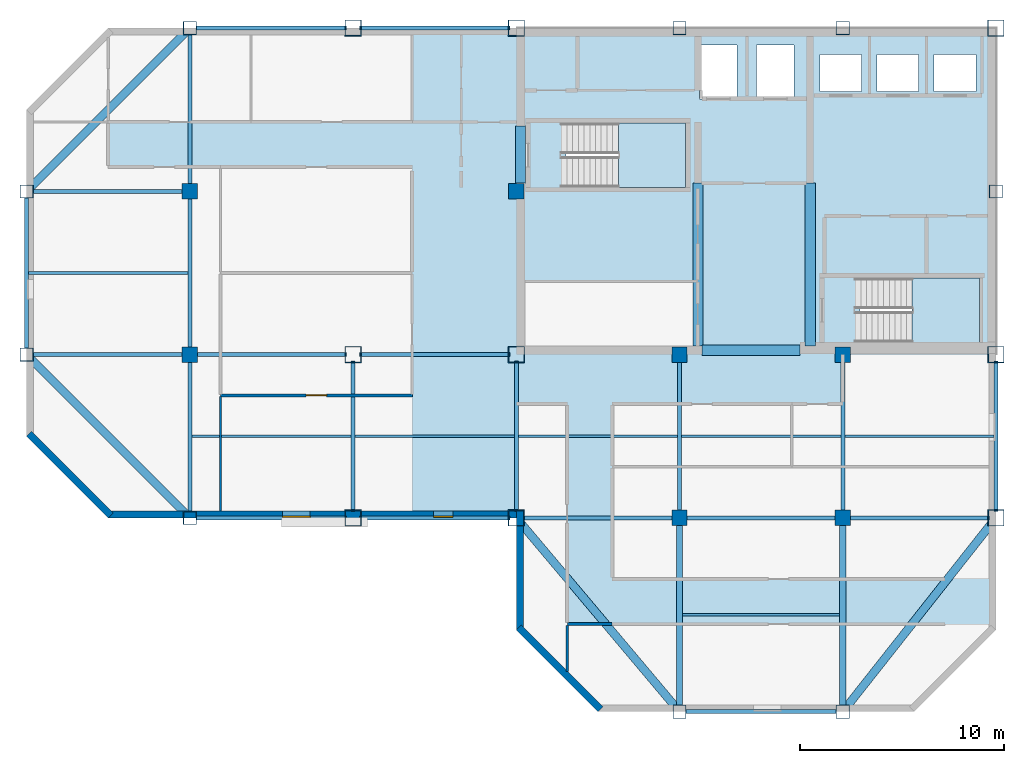
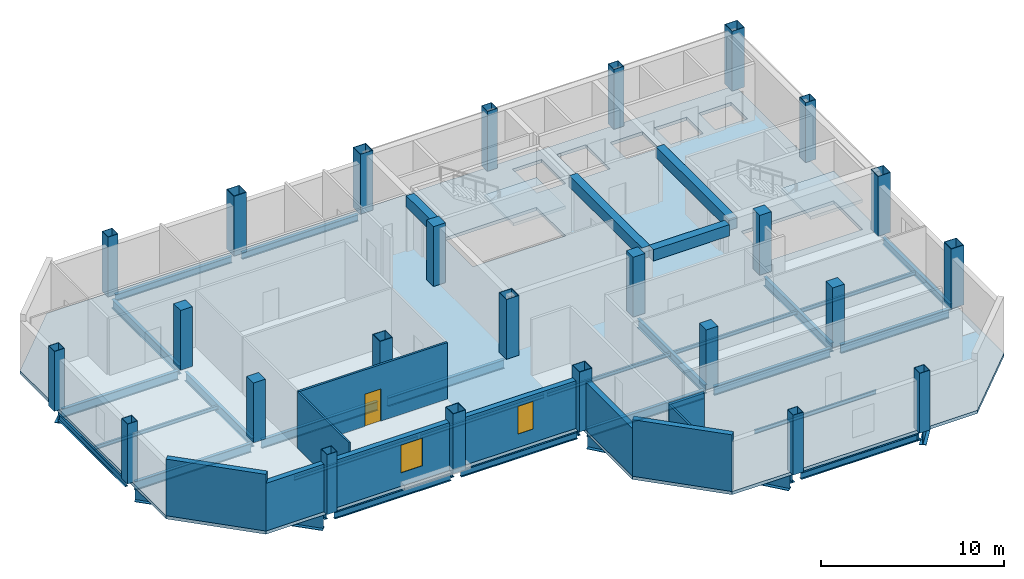
# One storey, part 1 of 7: 38 beams, 25 columns, 8 walls, 3 slabs, 2 windows, 1 door, 3 openings, 2 elements without a shape of their own.
"""IFC4 building model written with IfcOpenShell, lengths in metres."""

from ifc_helpers import new_model, si_unit, direction, frame, frame_2d, origin, origin_2d, place, context, subcontext, project, spatial, polyline, rectangle, hollow_rectangle, i_section, outline, extrude, material, layer, layer_set, material_profile, profile_set, type_object, element, fill, aggregate, save


model = new_model("IFC4")

# Units and contexts
model_context = context("Model", 3, precision=1e-05, world=origin(), true_north=direction((0.0, 1.0)))
body_context = subcontext(model_context, "Body", "Model", "MODEL_VIEW")
ifc_project = project(units=[si_unit("LENGTHUNIT", "METRE"), si_unit("AREAUNIT", "SQUARE_METRE"), si_unit("VOLUMEUNIT", "CUBIC_METRE"), si_unit("PLANEANGLEUNIT", "RADIAN"), si_unit("MASSUNIT", "GRAM", prefix="KILO")], contexts=[model_context])

# Site, building, storey
site_placement = place(None, origin())
site = spatial("IfcSite", under=ifc_project, at=site_placement, CompositionType="ELEMENT")
building_placement = place(site_placement, origin())
building = spatial("IfcBuilding", under=site, at=building_placement, Name="Qianrong Seaharbour Tower", CompositionType="ELEMENT")
storey_placement = place(building_placement, frame((0.0, 0.0, 343.199951171875)))
storey = spatial("IfcBuildingStorey", under=building, at=storey_placement, Name="L83", CompositionType="ELEMENT", Elevation=343.199951171875)

# Columns
ifc_material_1 = material(Name="Structural steel SN490B", Category="steel")
ifc_material_profile_1 = material_profile(ifc_material_1, hollow_rectangle(XDim=0.800048828125, YDim=0.800048828125, WallThickness=0.031982421875, at=origin_2d()), Name="BOX800x800x32")
ifc_profile_set_1 = profile_set([ifc_material_profile_1], Name="Structural steel SN490B")
column_type_1 = type_object("IfcColumnType", Name="COL-CFT-800", PredefinedType="COLUMN", material=ifc_profile_set_1)
for number, where, z_axis, x_axis, name in (
    (1, (32.5, 28.0, 0.0), (0.0, 0.0, 1.0), (1.0, 0.0, 0.0), "L83 Column MC-5 at G5/GE"),
    (2, (32.5, 36.0, 0.0), (0.0, 0.0, 1.0), (1.0, 0.0, 0.0), "L83 Column MC-5 at G5/GF"),
    (3, (32.5, 52.0, 0.0), (0.0, 0.0, 1.0), (1.0, 0.0, 0.0), "L83 Column MC-5 at G5/GH"),
    (4, (40.5, 28.0, 0.0), (0.0, 0.0, 1.0), (1.0, 0.0, 0.0), "L83 Column MC-5 at G6/GE"),
    (5, (40.5, 36.0, 0.0), (0.0, 0.0, 1.0), (1.0, 0.0, 0.0), "L83 Column MC-5 at G6/GF"),
    (6, (40.5, 52.0, 0.0), (0.0, 0.0, 1.0), (1.0, 0.0, 0.0), "L83 Column MC-5 at G6/GH"),
    (7, (64.0, 28.0, 0.0), (0.0, 0.0, 1.0), (1.0, 0.0, 0.0), "L83 Column MC-5 at G9/GE"),
    (8, (64.0, 36.0, 0.0), (0.0, 0.0, 1.0), (1.0, 0.0, 0.0), "L83 Column MC-5 at G9/GF"),
    (9, (64.0, 52.0, 0.0), (0.0, 0.0, 1.0), (1.0, 0.0, 0.0), "L83 Column MC-5 at G9/GH"),
):
    element("IfcColumn", number, at=place(storey_placement, frame(where, z_axis=z_axis, x_axis=x_axis)), inside=storey, type_object=column_type_1, Name=name, PredefinedType="COLUMN", context=body_context, shape_type="SweptSolid", body=[
        extrude(hollow_rectangle(XDim=0.800048828125, YDim=0.800048828125, WallThickness=0.031982421875, at=origin_2d()), origin(), (0.0, 0.0, 1.0), 4.0),
    ])
ifc_material_2 = material(Name="Concrete C50/60", Category="concrete")
ifc_material_profile_2 = material_profile(ifc_material_2, rectangle(XDim=0.75, YDim=0.75, at=origin_2d()), Name="RC750x750")
ifc_profile_set_2 = profile_set([ifc_material_profile_2], Name="Concrete C50/60")
column_type_2 = type_object("IfcColumnType", Name="COL-INT-RC750", PredefinedType="COLUMN", material=ifc_profile_set_2)
for number, where, z_axis, x_axis, name in (
    (10, (24.5, 36.0, 0.0), (0.0, 0.0, 1.0), (1.0, 0.0, 0.0), "L83 Column IC-4 at G4/GF"),
    (11, (24.5, 44.0, 0.0), (0.0, 0.0, 1.0), (1.0, 0.0, 0.0), "L83 Column IC-4 at G4/GG"),
    (12, (40.5, 44.0, 0.0), (0.0, 0.0, 1.0), (1.0, 0.0, 0.0), "L83 Column IC-4 at G6/GG"),
    (13, (48.5, 28.0, 0.0), (0.0, 0.0, 1.0), (1.0, 0.0, 0.0), "L83 Column IC-4 at G7/GE"),
    (14, (48.5, 36.0, 0.0), (0.0, 0.0, 1.0), (1.0, 0.0, 0.0), "L83 Column IC-4 at G7/GF"),
    (15, (56.5, 28.0, 0.0), (0.0, 0.0, 1.0), (1.0, 0.0, 0.0), "L83 Column IC-4 at G8/GE"),
    (16, (56.5, 36.0, 0.0), (0.0, 0.0, 1.0), (1.0, 0.0, 0.0), "L83 Column IC-4 at G8/GF"),
):
    element("IfcColumn", number, at=place(storey_placement, frame(where, z_axis=z_axis, x_axis=x_axis)), inside=storey, type_object=column_type_2, Name=name, PredefinedType="COLUMN", context=body_context, shape_type="SweptSolid", body=[
        extrude(rectangle(XDim=0.75, YDim=0.75, at=origin_2d()), origin(), (0.0, 0.0, 1.0), 4.0),
    ])
ifc_material_3 = material(Name="Structural steel SN400B", Category="steel")
ifc_material_profile_3 = material_profile(ifc_material_3, hollow_rectangle(XDim=0.64990234375, YDim=0.64990234375, WallThickness=0.028076171875, at=origin_2d()), Name="BOX650x650x28")
ifc_profile_set_3 = profile_set([ifc_material_profile_3], Name="Structural steel SN400B")
column_type_3 = type_object("IfcColumnType", Name="COL-PER-650", PredefinedType="COLUMN", material=ifc_profile_set_3)
for number, where, z_axis, x_axis, name in (
    (17, (16.5, 36.0, 0.0), (0.0, 0.0, 1.0), (1.0, 0.0, 0.0), "L83 Column PC-4 at G3/GF"),
    (18, (16.5, 44.0, 0.0), (0.0, 0.0, 1.0), (1.0, 0.0, 0.0), "L83 Column PC-4 at G3/GG"),
    (19, (24.5, 28.0, 0.0), (0.0, 0.0, 1.0), (1.0, 0.0, 0.0), "L83 Column PC-4 at G4/GE"),
    (20, (24.5, 52.0, 0.0), (0.0, 0.0, 1.0), (1.0, 0.0, 0.0), "L83 Column PC-4 at G4/GH"),
    (21, (48.5, 18.5, 0.0), (0.0, 0.0, 1.0), (1.0, 0.0, 0.0), "L83 Column PC-4 at G7/GD"),
    (22, (48.5, 52.0, 0.0), (0.0, 0.0, 1.0), (1.0, 0.0, 0.0), "L83 Column PC-4 at G7/GH"),
    (23, (56.5, 18.5, 0.0), (0.0, 0.0, 1.0), (1.0, 0.0, 0.0), "L83 Column PC-4 at G8/GD"),
    (24, (56.5, 52.0, 0.0), (0.0, 0.0, 1.0), (1.0, 0.0, 0.0), "L83 Column PC-4 at G8/GH"),
    (25, (64.0, 44.0, 0.0), (0.0, 0.0, 1.0), (1.0, 0.0, 0.0), "L83 Column PC-4 at G9/GG"),
):
    element("IfcColumn", number, at=place(storey_placement, frame(where, z_axis=z_axis, x_axis=x_axis)), inside=storey, type_object=column_type_3, Name=name, PredefinedType="COLUMN", context=body_context, shape_type="SweptSolid", body=[
        extrude(hollow_rectangle(XDim=0.64990234375, YDim=0.64990234375, WallThickness=0.028076171875, at=origin_2d()), origin(), (0.0, 0.0, 1.0), 4.0),
    ])

# Beams
ifc_material_profile_4 = material_profile(ifc_material_1, i_section(OverallWidth=0.199951171875, OverallDepth=0.60009765625, WebThickness=0.010986328125, FlangeThickness=0.01708984375, FilletRadius=0.02197265625, at=origin_2d()), Name="H600x200x11x17")
ifc_profile_set_4 = profile_set([ifc_material_profile_4], Name="Structural steel SN490B")
beam_type_1 = type_object("IfcBeamType", Name="BM-G-600", PredefinedType="BEAM", material=ifc_profile_set_4)
for number, where, z_axis, x_axis, name in (
    (26, (40.820068359375, 28.0, -0.514892578125), (1.0, 0.0, 0.0), (0.0, 1.0, 0.0), "L83 Primary Girder GE G6-G7"),
    (27, (48.820068359375, 28.0, -0.514892578125), (1.0, 0.0, 0.0), (0.0, 1.0, 0.0), "L83 Primary Girder GE G7-G8"),
):
    element("IfcBeam", number, at=place(storey_placement, frame(where, z_axis=z_axis, x_axis=x_axis)), inside=storey, type_object=beam_type_1, Name=name, PredefinedType="BEAM", context=body_context, shape_type="SweptSolid", body=[
        extrude(i_section(OverallWidth=0.199951171875, OverallDepth=0.60009765625, WebThickness=0.010986328125, FlangeThickness=0.01708984375, FilletRadius=0.02197265625, at=origin_2d()), origin(), (0.0, 0.0, 1.0), 7.35986328125),
    ])
beam_1_placement = place(storey_placement, frame((56.820068359375, 28.0, -0.514892578125), z_axis=(1.0, 0.0, 0.0), x_axis=(0.0, 1.0, 0.0)))
element("IfcBeam", 28, at=beam_1_placement, inside=storey, type_object=beam_type_1, Name="L83 Primary Girder GE G8-G9", PredefinedType="BEAM", context=body_context, shape_type="SweptSolid", body=[
    extrude(i_section(OverallWidth=0.199951171875, OverallDepth=0.60009765625, WebThickness=0.010986328125, FlangeThickness=0.01708984375, FilletRadius=0.02197265625, at=origin_2d()), origin(), (0.0, 0.0, 1.0), 6.85986328125),
])
for number, where, z_axis, x_axis, name in (
    (29, (16.820068359375, 36.0, -0.514892578125), (1.0, 0.0, 0.0), (0.0, 1.0, 0.0), "L83 Primary Girder GF G3-G4"),
    (30, (24.820068359375, 36.0, -0.514892578125), (1.0, 0.0, 0.0), (0.0, 1.0, 0.0), "L83 Primary Girder GF G4-G5"),
    (31, (32.820068359375, 36.0, -0.514892578125), (1.0, 0.0, 0.0), (0.0, 1.0, 0.0), "L83 Primary Girder GF G5-G6"),
    (32, (16.820068359375, 44.0, -0.514892578125), (1.0, 0.0, 0.0), (0.0, 1.0, 0.0), "L83 Primary Girder GG G3-G4"),
    (33, (24.5, 28.320068359375, -0.514892578125), (0.0, 1.0, 0.0), (-1.0, 0.0, 0.0), "L83 Primary Girder G4 GE-GF"),
    (34, (24.5, 36.320068359375, -0.514892578125), (0.0, 1.0, 0.0), (-1.0, 0.0, 0.0), "L83 Primary Girder G4 GF-GG"),
    (35, (24.5, 44.320068359375, -0.514892578125), (0.0, 1.0, 0.0), (-1.0, 0.0, 0.0), "L83 Primary Girder G4 GG-GH"),
    (36, (32.5, 28.320068359375, -0.514892578125), (0.0, 1.0, 0.0), (-1.0, 0.0, 0.0), "L83 Primary Girder G5 GE-GF"),
    (37, (40.5, 28.320068359375, -0.514892578125), (0.0, 1.0, 0.0), (-1.0, 0.0, 0.0), "L83 Primary Girder G6 GE-GF"),
    (38, (48.5, 28.320068359375, -0.514892578125), (0.0, 1.0, 0.0), (-1.0, 0.0, 0.0), "L83 Primary Girder G7 GE-GF"),
    (39, (56.5, 28.320068359375, -0.514892578125), (0.0, 1.0, 0.0), (-1.0, 0.0, 0.0), "L83 Primary Girder G8 GE-GF"),
):
    element("IfcBeam", number, at=place(storey_placement, frame(where, z_axis=z_axis, x_axis=x_axis)), inside=storey, type_object=beam_type_1, Name=name, PredefinedType="BEAM", context=body_context, shape_type="SweptSolid", body=[
        extrude(i_section(OverallWidth=0.199951171875, OverallDepth=0.60009765625, WebThickness=0.010986328125, FlangeThickness=0.01708984375, FilletRadius=0.02197265625, at=origin_2d()), origin(), (0.0, 0.0, 1.0), 7.35986328125),
    ])
ifc_material_profile_5 = material_profile(ifc_material_1, i_section(OverallWidth=0.300048828125, OverallDepth=0.800048828125, WebThickness=0.013916015625, FlangeThickness=0.02587890625, FilletRadius=0.028076171875, at=origin_2d()), Name="H800x300x14x26")
ifc_profile_set_5 = profile_set([ifc_material_profile_5], Name="Structural steel SN490B")
beam_type_2 = type_object("IfcBeamType", Name="BM-G-800", PredefinedType="BEAM", material=ifc_profile_set_5)
for number, where, z_axis, x_axis, name in (
    (40, (48.5, 18.820068359375, -0.614990234375), (0.0, 1.0, 0.0), (-1.0, 0.0, 0.0), "L83 Primary Girder G7 GD-GE"),
    (41, (56.5, 18.820068359375, -0.614990234375), (0.0, 1.0, 0.0), (-1.0, 0.0, 0.0), "L83 Primary Girder G8 GD-GE"),
):
    element("IfcBeam", number, at=place(storey_placement, frame(where, z_axis=z_axis, x_axis=x_axis)), inside=storey, type_object=beam_type_2, Name=name, PredefinedType="BEAM", context=body_context, shape_type="SweptSolid", body=[
        extrude(i_section(OverallWidth=0.300048828125, OverallDepth=0.800048828125, WebThickness=0.013916015625, FlangeThickness=0.02587890625, FilletRadius=0.028076171875, at=origin_2d()), origin(), (0.0, 0.0, 1.0), 8.85986328125),
    ])
ifc_material_profile_6 = material_profile(ifc_material_3, i_section(OverallWidth=0.125, OverallDepth=0.25, WebThickness=0.006103515625, FlangeThickness=0.009033203125, FilletRadius=0.011962890625, at=origin_2d()), Name="H250x125x6x9")
ifc_profile_set_6 = profile_set([ifc_material_profile_6], Name="Structural steel SN400B")
beam_type_3 = type_object("IfcBeamType", Name="BM-J-250", PredefinedType="JOIST", material=ifc_profile_set_6)
for number, where, z_axis, x_axis, name in (
    (42, (16.60009765625, 40.0, -0.33984375), (1.0, 0.0, 0.0), (0.0, 1.0, 0.0), "L83 Composite Floor Joist G3-G4/GF-GG"),
    (43, (24.60009765625, 32.0, -0.33984375), (1.0, 0.0, 0.0), (0.0, 1.0, 0.0), "L83 Composite Floor Joist G4-G5/GE-GF"),
    (44, (32.60009765625, 32.0, -0.33984375), (1.0, 0.0, 0.0), (0.0, 1.0, 0.0), "L83 Composite Floor Joist G5-G6/GE-GF"),
    (45, (40.60009765625, 32.0, -0.33984375), (1.0, 0.0, 0.0), (0.0, 1.0, 0.0), "L83 Composite Floor Joist G6-G7/GE-GF"),
):
    element("IfcBeam", number, at=place(storey_placement, frame(where, z_axis=z_axis, x_axis=x_axis)), inside=storey, type_object=beam_type_3, Name=name, PredefinedType="JOIST", context=body_context, shape_type="SweptSolid", body=[
        extrude(i_section(OverallWidth=0.125, OverallDepth=0.25, WebThickness=0.006103515625, FlangeThickness=0.009033203125, FilletRadius=0.011962890625, at=origin_2d()), origin(), (0.0, 0.0, 1.0), 7.7998046875),
    ])
beam_2_placement = place(storey_placement, frame((48.64990234375, 23.25, -0.33984375), z_axis=(1.0, 0.0, 0.0), x_axis=(0.0, 1.0, 0.0)))
element("IfcBeam", 46, at=beam_2_placement, inside=storey, type_object=beam_type_3, Name="L83 Composite Floor Joist G7-G8/GD-GE", PredefinedType="JOIST", context=body_context, shape_type="SweptSolid", body=[
    extrude(i_section(OverallWidth=0.125, OverallDepth=0.25, WebThickness=0.006103515625, FlangeThickness=0.009033203125, FilletRadius=0.011962890625, at=origin_2d()), origin(), (0.0, 0.0, 1.0), 7.7001953125),
])
beam_3_placement = place(storey_placement, frame((48.60009765625, 32.0, -0.33984375), z_axis=(1.0, 0.0, 0.0), x_axis=(0.0, 1.0, 0.0)))
element("IfcBeam", 47, at=beam_3_placement, inside=storey, type_object=beam_type_3, Name="L83 Composite Floor Joist G7-G8/GE-GF", PredefinedType="JOIST", context=body_context, shape_type="SweptSolid", body=[
    extrude(i_section(OverallWidth=0.125, OverallDepth=0.25, WebThickness=0.006103515625, FlangeThickness=0.009033203125, FilletRadius=0.011962890625, at=origin_2d()), origin(), (0.0, 0.0, 1.0), 7.7998046875),
])
beam_4_placement = place(storey_placement, frame((56.60009765625, 32.0, -0.33984375), z_axis=(1.0, 0.0, 0.0), x_axis=(0.0, 1.0, 0.0)))
element("IfcBeam", 48, at=beam_4_placement, inside=storey, type_object=beam_type_3, Name="L83 Composite Floor Joist G8-G9/GE-GF", PredefinedType="JOIST", context=body_context, shape_type="SweptSolid", body=[
    extrude(i_section(OverallWidth=0.125, OverallDepth=0.25, WebThickness=0.006103515625, FlangeThickness=0.009033203125, FilletRadius=0.011962890625, at=origin_2d()), origin(), (0.0, 0.0, 1.0), 7.2998046875),
])
ifc_material_4 = material(Name="Concrete C60/75", Category="concrete")
ifc_material_profile_7 = material_profile(ifc_material_4, rectangle(XDim=0.5, YDim=0.75, at=origin_2d()), Name="RC500x750")
ifc_profile_set_7 = profile_set([ifc_material_profile_7], Name="Concrete C60/75")
beam_type_4 = type_object("IfcBeamType", Name="BM-LINTEL-750", PredefinedType="LINTEL", material=ifc_profile_set_7)
beam_5_placement = place(storey_placement, frame((40.7099609375, 44.39990234375, 3.41015625), z_axis=(0.0, 1.0, 0.0), x_axis=(-1.0, 0.0, 0.0)))
element("IfcBeam", 49, at=beam_5_placement, inside=storey, type_object=beam_type_4, Name="L83 Core Coupling Lintel Beam West", PredefinedType="LINTEL", context=body_context, shape_type="SweptSolid", body=[
    extrude(rectangle(XDim=0.5, YDim=0.75, at=origin_2d()), origin(), (0.0, 0.0, 1.0), 2.800048828125),
])
beam_6_placement = place(storey_placement, frame((49.60009765625, 36.2099609375, 3.41015625), z_axis=(1.0, 0.0, 0.0), x_axis=(0.0, 1.0, 0.0)))
element("IfcBeam", 50, at=beam_6_placement, inside=storey, type_object=beam_type_4, Name="L83 Core Coupling Lintel Beam CBC", PredefinedType="LINTEL", context=body_context, shape_type="SweptSolid", body=[
    extrude(rectangle(XDim=0.5, YDim=0.75, at=origin_2d()), origin(), (0.0, 0.0, 1.0), 4.7998046875),
])
for number, where, z_axis, x_axis, name in (
    (51, (49.39990234375, 36.419921875, 3.41015625), (0.0, 1.0, 0.0), (-1.0, 0.0, 0.0), "L83 Internal Core Coupling Beam IW1"),
    (52, (54.89990234375, 36.419921875, 3.41015625), (0.0, 1.0, 0.0), (-1.0, 0.0, 0.0), "L83 Internal Core Coupling Beam IW2"),
):
    element("IfcBeam", number, at=place(storey_placement, frame(where, z_axis=z_axis, x_axis=x_axis)), inside=storey, type_object=beam_type_4, Name=name, PredefinedType="LINTEL", context=body_context, shape_type="SweptSolid", body=[
        extrude(rectangle(XDim=0.5, YDim=0.75, at=origin_2d()), origin(), (0.0, 0.0, 1.0), 7.97998046875),
    ])
ifc_material_profile_8 = material_profile(ifc_material_3, i_section(OverallWidth=0.199951171875, OverallDepth=0.449951171875, WebThickness=0.009033203125, FlangeThickness=0.013916015625, FilletRadius=0.01806640625, at=origin_2d()), Name="H450x200x9x14")
ifc_profile_set_8 = profile_set([ifc_material_profile_8], Name="Structural steel SN400B")
beam_type_5 = type_object("IfcBeamType", Name="BM-SP-450", PredefinedType="SPANDREL", material=ifc_profile_set_8)
for number, where, z_axis, x_axis, name in (
    (53, (48.820068359375, 18.5, -0.43994140625), (1.0, 0.0, 0.0), (0.0, 1.0, 0.0), "L83 Spandrel Girder GD G7-G8"),
    (54, (24.820068359375, 28.0, -0.43994140625), (1.0, 0.0, 0.0), (0.0, 1.0, 0.0), "L83 Spandrel Girder GE G4-G5"),
    (55, (32.820068359375, 28.0, -0.43994140625), (1.0, 0.0, 0.0), (0.0, 1.0, 0.0), "L83 Spandrel Girder GE G5-G6"),
    (56, (24.820068359375, 52.0, -0.43994140625), (1.0, 0.0, 0.0), (0.0, 1.0, 0.0), "L83 Spandrel Girder GH G4-G5"),
    (57, (32.820068359375, 52.0, -0.43994140625), (1.0, 0.0, 0.0), (0.0, 1.0, 0.0), "L83 Spandrel Girder GH G5-G6"),
    (58, (16.5, 36.320068359375, -0.43994140625), (0.0, 1.0, 0.0), (-1.0, 0.0, 0.0), "L83 Spandrel Girder G3 GF-GG"),
    (59, (64.0, 28.320068359375, -0.43994140625), (0.0, 1.0, 0.0), (-1.0, 0.0, 0.0), "L83 Spandrel Girder G9 GE-GF"),
):
    element("IfcBeam", number, at=place(storey_placement, frame(where, z_axis=z_axis, x_axis=x_axis)), inside=storey, type_object=beam_type_5, Name=name, PredefinedType="SPANDREL", context=body_context, shape_type="SweptSolid", body=[
        extrude(i_section(OverallWidth=0.199951171875, OverallDepth=0.449951171875, WebThickness=0.009033203125, FlangeThickness=0.013916015625, FilletRadius=0.01806640625, at=origin_2d()), origin(), (0.0, 0.0, 1.0), 7.35986328125),
    ])
ifc_material_profile_9 = material_profile(ifc_material_1, i_section(OverallWidth=0.39990234375, OverallDepth=1.10009765625, WebThickness=0.02001953125, FlangeThickness=0.035888671875, at=origin_2d()), Name="BH1100x400x20x36")
ifc_profile_set_9 = profile_set([ifc_material_profile_9], Name="Structural steel SN490B")
beam_type_6 = type_object("IfcBeamType", Name="BM-TG-1100", PredefinedType="BEAM", material=ifc_profile_set_9)
for number, where, z_axis, x_axis, name in (
    (60, (24.273681640625, 28.226318359375, -0.764892578125), (-0.707106781187, 0.707106781187, 0.0), (-0.707106781187, -0.707106781187, 0.0), "L83 Chamfer Corner Spandrel Girder G3/GE"),
    (61, (24.273681640625, 51.773681640625, -0.764892578125), (-0.707106781187, -0.707106781187, 0.0), (0.707106781187, -0.707106781187, 0.0), "L83 Chamfer Corner Spandrel Girder G3/GH"),
):
    element("IfcBeam", number, at=place(storey_placement, frame(where, z_axis=z_axis, x_axis=x_axis)), inside=storey, type_object=beam_type_6, Name=name, PredefinedType="BEAM", context=body_context, shape_type="SweptSolid", body=[
        extrude(i_section(OverallWidth=0.39990234375, OverallDepth=1.10009765625, WebThickness=0.02001953125, FlangeThickness=0.035888671875, at=origin_2d()), origin(), (0.0, 0.0, 1.0), 10.673583984375),
    ])
beam_7_placement = place(storey_placement, frame((48.2939453125, 18.744873046875, -0.764892578125), z_axis=(-0.644151063101, 0.764898299061, 0.0), x_axis=(-0.764898299061, -0.644151063101, 0.0)))
element("IfcBeam", 62, at=beam_7_placement, inside=storey, type_object=beam_type_6, Name="L83 Chamfer Corner Spandrel Girder G6/GD", PredefinedType="BEAM", context=body_context, shape_type="SweptSolid", body=[
    extrude(i_section(OverallWidth=0.39990234375, OverallDepth=1.10009765625, WebThickness=0.02001953125, FlangeThickness=0.035888671875, at=origin_2d()), origin(), (0.0, 0.0, 1.0), 11.77978515625),
])
beam_8_placement = place(storey_placement, frame((56.6982421875, 18.751220703125, -0.764892578125), z_axis=(0.619653955715, 0.784875133487, 0.0), x_axis=(-0.784875133487, 0.619653955715, 0.0)))
element("IfcBeam", 63, at=beam_8_placement, inside=storey, type_object=beam_type_6, Name="L83 Chamfer Corner Spandrel Girder G9/GD", PredefinedType="BEAM", context=body_context, shape_type="SweptSolid", body=[
    extrude(i_section(OverallWidth=0.39990234375, OverallDepth=1.10009765625, WebThickness=0.02001953125, FlangeThickness=0.035888671875, at=origin_2d()), origin(), (0.0, 0.0, 1.0), 11.463623046875),
])

# Stair, slab
stair_type = type_object("IfcStairType", Name="STAIR-DOGLEG-1500-R22", PredefinedType="HALF_TURN_STAIR", material=ifc_material_2)
stair_1_placement = place(storey_placement, origin())
stair_1 = element("IfcStair", 64, at=stair_1_placement, inside=storey, type_object=stair_type, Name="L83 Protected Escape Stair ST-1", PredefinedType="HALF_TURN_STAIR")
ifc_layer_1 = layer(ifc_material_2, 0.199951171875)
ifc_layer_set_1 = layer_set([ifc_layer_1], Name="Concrete C50/60")
slab_type_1 = type_object("IfcSlabType", Name="SLAB-STAIR-LANDING-200", PredefinedType="LANDING", material=ifc_layer_set_1)
slab_1_placement = place(storey_placement, frame((0.0, 0.0, 1.800048828125)))
slab_1 = element("IfcSlab", 65, at=slab_1_placement, type_object=slab_type_1, Name="ST-1 landing 1", PredefinedType="LANDING", context=body_context, shape_type="SweptSolid", body=[
    extrude(outline(polyline([(45.5, 44.199951171875), (48.800048828125, 44.199951171875), (48.800048828125, 47.35009765625), (45.5, 47.35009765625), (45.5, 44.199951171875)])), origin(), (0.0, 0.0, 1.0), 0.199951171875),
])
aggregate(stair_1, [slab_1])

stair_2_placement = place(storey_placement, origin())
stair_2 = element("IfcStair", 66, at=stair_2_placement, inside=storey, type_object=stair_type, Name="L83 Protected Escape Stair ST-2", PredefinedType="HALF_TURN_STAIR")
slab_2_placement = place(storey_placement, frame((0.0, 0.0, 1.800048828125)))
slab_2 = element("IfcSlab", 67, at=slab_2_placement, type_object=slab_type_1, Name="ST-2 landing 1", PredefinedType="LANDING", context=body_context, shape_type="SweptSolid", body=[
    extrude(outline(polyline([(59.89990234375, 36.60009765625), (63.199951171875, 36.60009765625), (63.199951171875, 39.75), (59.89990234375, 39.75), (59.89990234375, 36.60009765625)])), origin(), (0.0, 0.0, 1.0), 0.199951171875),
])
aggregate(stair_2, [slab_2])

# Slab
ifc_layer_2 = layer(ifc_material_2, 0.215087890625)
ifc_layer_set_2 = layer_set([ifc_layer_2], Name="Concrete C50/60")
slab_type_2 = type_object("IfcSlabType", Name="SLAB-Z4-215", PredefinedType="FLOOR", material=ifc_layer_set_2)
slab_3_placement = place(storey_placement, frame((0.0, 0.0, -0.21484375)))
element("IfcSlab", 68, at=slab_3_placement, inside=storey, type_object=slab_type_2, Name="L83 Structural Floor Slab", PredefinedType="FLOOR", context=body_context, shape_type="SweptSolid", body=[
    extrude(outline(polyline([(44.5, 18.5), (60.0, 18.5), (64.0, 22.5), (64.0, 52.0), (20.5, 52.0), (16.5, 48.0), (16.5, 32.0), (20.5, 28.0), (40.5, 28.0), (40.5, 22.5), (44.5, 18.5)]), holes=[polyline([(42.93994140625, 44.199951171875), (42.93994140625, 47.35009765625), (48.800048828125, 47.35009765625), (48.800048828125, 44.199951171875), (42.93994140625, 44.199951171875)]), polyline([(57.340087890625, 36.60009765625), (57.340087890625, 39.75), (63.199951171875, 39.75), (63.199951171875, 36.60009765625), (57.340087890625, 36.60009765625)]), polyline([(49.47998046875, 48.530029296875), (49.47998046875, 51.169921875), (51.320068359375, 51.169921875), (51.320068359375, 48.530029296875), (49.47998046875, 48.530029296875)]), polyline([(52.280029296875, 48.530029296875), (52.280029296875, 51.169921875), (54.1201171875, 51.169921875), (54.1201171875, 48.530029296875), (52.280029296875, 48.530029296875)]), polyline([(55.3798828125, 48.89990234375), (55.3798828125, 50.699951171875), (57.419921875, 50.699951171875), (57.419921875, 48.89990234375), (55.3798828125, 48.89990234375)]), polyline([(58.179931640625, 48.89990234375), (58.179931640625, 50.699951171875), (60.219970703125, 50.699951171875), (60.219970703125, 48.89990234375), (58.179931640625, 48.89990234375)]), polyline([(60.97998046875, 48.89990234375), (60.97998046875, 50.699951171875), (63.02001953125, 50.699951171875), (63.02001953125, 48.89990234375), (60.97998046875, 48.89990234375)])]), origin(), (0.0, 0.0, 1.0), 0.21484375),
])

# Walls
ifc_material_5 = material(Name="Fire-rated acoustic gypsum board partition")
ifc_layer_3 = layer(ifc_material_5, 0.1650390625)
ifc_layer_set_3 = layer_set([ifc_layer_3], Name="Fire-rated acoustic gypsum board partition")
wall_type_1 = type_object("IfcWallType", Name="WALL-CORR-PART-165", PredefinedType="PARTITIONING", material=ifc_layer_set_3)
wall_1_placement = place(storey_placement, frame((45.199951171875, 22.800048828125, 0.0), z_axis=(0.0, 0.0, 1.0), x_axis=(-1.0, 0.0, 0.0)))
element("IfcWall", 69, at=wall_1_placement, inside=storey, type_object=wall_type_1, Name="L83 Interior Partition Wall 029", PredefinedType="PARTITIONING", context=body_context, shape_type="SweptSolid", body=[
    extrude(rectangle(XDim=2.199951171875, YDim=0.1650390625, at=frame_2d((1.10009765625, 0.0))), origin(), (0.0, 0.0, 1.0), 3.78515625),
])
ifc_material_6 = material(Name="Demountable aluminium-framed acoustic office partition", Category="aluminium")
ifc_layer_4 = layer(ifc_material_6, 0.110107421875)
ifc_layer_set_4 = layer_set([ifc_layer_4], Name="Demountable aluminium-framed acoustic office partition")
wall_type_2 = type_object("IfcWallType", Name="WALL-DEMOUNT-110", PredefinedType="MOVABLE", material=ifc_layer_set_4)
wall_2_placement = place(storey_placement, frame((43.0, 20.469482421875, 0.0), z_axis=(0.0, 0.0, 1.0), x_axis=(0.0, 1.0, 0.0)))
element("IfcWall", 70, at=wall_2_placement, inside=storey, type_object=wall_type_2, Name="L83 Interior Partition Wall 035", PredefinedType="MOVABLE", context=body_context, shape_type="SweptSolid", body=[
    extrude(rectangle(XDim=2.256103515625, YDim=0.110107421875, at=frame_2d((1.1279296875, 0.0))), origin(), (0.0, 0.0, 1.0), 3.78515625),
])
wall_3_placement = place(storey_placement, frame((26.0, 33.943115234375, 0.0), z_axis=(0.0, 0.0, 1.0), x_axis=(0.0, -1.0, 0.0)))
element("IfcWall", 71, at=wall_3_placement, inside=storey, type_object=wall_type_2, Name="L83 Interior Partition Wall 042", PredefinedType="MOVABLE", context=body_context, shape_type="SweptSolid", body=[
    extrude(rectangle(XDim=5.611083984375, YDim=0.110107421875, at=frame_2d((2.8056640625, 0.0))), origin(), (0.0, 0.0, 1.0), 3.78515625),
])
ifc_material_7 = material(Name="Unitised buff brick on Precast concrete C45/55", Category="masonry")
ifc_layer_5 = layer(ifc_material_7, 0.340087890625)
ifc_layer_set_5 = layer_set([ifc_layer_5], Name="Unitised buff brick on Precast concrete C45/55")
wall_type_3 = type_object("IfcWallType", Name="WALL-EXT-BRICK-BUFF-340", PredefinedType="SOLIDWALL", material=ifc_layer_set_5)
wall_4_placement = place(storey_placement, frame((40.669921875, 22.5, 0.0), z_axis=(0.0, 0.0, 1.0), x_axis=(0.0, 1.0, 0.0)))
element("IfcWall", 72, at=wall_4_placement, inside=storey, type_object=wall_type_3, Name="L83 Exterior Masonry Facade Wall REENTRANT_WEST", PredefinedType="SOLIDWALL", context=body_context, shape_type="SweptSolid", body=[
    extrude(rectangle(XDim=5.840087890625, YDim=0.340087890625, at=frame_2d((2.919921875, 0.0))), origin(), (0.0, 0.0, 1.0), 3.18505859375),
])

# Wall, openings, windows
wall_5_placement = place(storey_placement, frame((40.52001953125, 28.169921875, 0.0), z_axis=(0.0, 0.0, 1.0), x_axis=(-1.0, 0.0, 0.0)))
wall_5 = element("IfcWall", 73, at=wall_5_placement, inside=storey, type_object=wall_type_3, Name="L83 Exterior Masonry Facade Wall HARBOUR_RIBBON", PredefinedType="SOLIDWALL", context=body_context, shape_type="SweptSolid", body=[
    extrude(rectangle(XDim=20.02001953125, YDim=0.340087890625, at=frame_2d((10.010009765625, 0.0))), origin(), (0.0, 0.0, 1.0), 3.18505859375),
])
opening_1_placement = place(wall_5_placement, frame((3.125, 0.0, 0.89990234375)))
opening_1 = element("IfcOpeningElement", 74, at=opening_1_placement, cuts=wall_5, Name="Opening WN-13", PredefinedType="OPENING", context=body_context, shape_type="SweptSolid", body=[
    extrude(rectangle(XDim=0.949951171875, YDim=1.85009765625, at=frame_2d((0.47509765625, 0.925048828125))), frame((0.0, 0.18017578125, 0.0), z_axis=(0.0, -1.0, 0.0), x_axis=(1.0, 0.0, 0.0)), (0.0, 0.0, 1.0), 0.360107421875),
])
opening_2_placement = place(wall_5_placement, frame((10.125, 0.0, 0.89990234375)))
opening_2 = element("IfcOpeningElement", 75, at=opening_2_placement, cuts=wall_5, Name="Opening WN-02", PredefinedType="OPENING", context=body_context, shape_type="SweptSolid", body=[
    extrude(rectangle(XDim=1.35009765625, YDim=1.85009765625, at=frame_2d((0.675048828125, 0.925048828125))), frame((0.0, 0.18017578125, 0.0), z_axis=(0.0, -1.0, 0.0), x_axis=(1.0, 0.0, 0.0)), (0.0, 0.0, 1.0), 0.360107421875),
])
ifc_material_8 = material(Name="Insulated low-e double glazing in thermally broken aluminium 6063-T6 frame", Category="aluminium")
window_type_1 = type_object("IfcWindowType", Name="WIN-NARROW-950x1850", PartitioningType="SINGLE_PANEL", PredefinedType="WINDOW", material=ifc_material_8)
window_1_placement = place(opening_1_placement, origin())
window_1 = element("IfcWindow", 76, at=window_1_placement, inside=storey, type_object=window_type_1, Name="L83 Deep-Set Punched Window 01.01", OverallHeight=1.85009765625, OverallWidth=0.949951171875, PartitioningType="SINGLE_PANEL", PredefinedType="WINDOW", context=body_context, shape_type="SweptSolid", body=[
    extrude(rectangle(XDim=0.949951171875, YDim=1.85009765625, at=frame_2d((0.47509765625, 0.925048828125))), frame((0.0, 0.150146484375, 0.0), z_axis=(0.0, -1.0, 0.0), x_axis=(1.0, 0.0, 0.0)), (0.0, 0.0, 1.0), 0.06005859375),
])
fill(opening_1, window_1)
window_type_2 = type_object("IfcWindowType", Name="WIN-PUNCH-1350x1850", PartitioningType="DOUBLE_PANEL_VERTICAL", PredefinedType="WINDOW", material=ifc_material_8)
window_2_placement = place(opening_2_placement, origin())
window_2 = element("IfcWindow", 77, at=window_2_placement, inside=storey, type_object=window_type_2, Name="L83 Deep-Set Punched Window 01.03", OverallHeight=1.85009765625, OverallWidth=1.35009765625, PartitioningType="DOUBLE_PANEL_VERTICAL", PredefinedType="WINDOW", context=body_context, shape_type="SweptSolid", body=[
    extrude(rectangle(XDim=1.35009765625, YDim=1.85009765625, at=frame_2d((0.675048828125, 0.925048828125))), frame((0.0, 0.150146484375, 0.0), z_axis=(0.0, -1.0, 0.0), x_axis=(1.0, 0.0, 0.0)), (0.0, 0.0, 1.0), 0.06005859375),
])
fill(opening_2, window_2)

# Walls
for number, where, z_axis, x_axis, name in (
    (78, (20.6201171875, 28.1201171875, 0.0), (0.0, 0.0, 1.0), (-0.707106781187, 0.707106781187, 0.0), "L83 Exterior Masonry Facade Wall E02"),
    (79, (44.6201171875, 18.6201171875, 0.0), (0.0, 0.0, 1.0), (-0.707106781187, 0.707106781187, 0.0), "L83 Exterior Masonry Facade Wall E09"),
):
    element("IfcWall", number, at=place(storey_placement, frame(where, z_axis=z_axis, x_axis=x_axis)), inside=storey, type_object=wall_type_3, Name=name, PredefinedType="SOLIDWALL", context=body_context, shape_type="SweptSolid", body=[
        extrude(rectangle(XDim=5.65673828125, YDim=0.340087890625, at=frame_2d((2.828369140625, 0.0))), origin(), (0.0, 0.0, 1.0), 3.78515625),
    ])

# Wall, opening, door
ifc_material_9 = material(Name="Water-resistant cement board sanitary partition")
ifc_layer_6 = layer(ifc_material_9, 0.1298828125)
ifc_layer_set_6 = layer_set([ifc_layer_6], Name="Water-resistant cement board sanitary partition")
wall_type_4 = type_object("IfcWallType", Name="WALL-WET-PART-130", PredefinedType="PARTITIONING", material=ifc_layer_set_6)
wall_6_placement = place(storey_placement, frame((26.0, 34.0, 0.0), z_axis=(0.0, 0.0, 1.0), x_axis=(1.0, 0.0, 0.0)))
wall_6 = element("IfcWall", 80, at=wall_6_placement, inside=storey, type_object=wall_type_4, Name="L83 Interior Partition Wall 045", PredefinedType="PARTITIONING", context=body_context, shape_type="SweptSolid", body=[
    extrude(rectangle(XDim=9.39990234375, YDim=0.1298828125, at=frame_2d((4.699951171875, 0.0))), origin(), (0.0, 0.0, 1.0), 3.78515625),
])
opening_3_placement = place(wall_6_placement, frame((4.199951171875, 0.0, 0.0)))
opening_3 = element("IfcOpeningElement", 81, at=opening_3_placement, cuts=wall_6, Name="Opening DO-01", PredefinedType="OPENING", context=body_context, shape_type="SweptSolid", body=[
    extrude(rectangle(XDim=1.0, YDim=2.14990234375, at=frame_2d((0.5, 1.074951171875))), frame((0.0, 0.074951171875, 0.0), z_axis=(0.0, -1.0, 0.0), x_axis=(1.0, 0.0, 0.0)), (0.0, 0.0, 1.0), 0.14990234375),
])
ifc_material_10 = material(Name="Acoustic timber and galvanized steel fire door assembly", Category="steel")
door_type = type_object("IfcDoorType", Name="DOOR-OFFICE-1000x2150", OperationType="NOTDEFINED", PredefinedType="DOOR", material=ifc_material_10)
door_placement = place(opening_3_placement, origin())
door = element("IfcDoor", 82, at=door_placement, inside=storey, type_object=door_type, Name="L83 Medical Examination Room 1 Door", OperationType="SINGLE_SWING_LEFT", OverallHeight=2.14990234375, OverallWidth=1.0, PredefinedType="DOOR", context=body_context, shape_type="SweptSolid", body=[
    extrude(rectangle(XDim=1.0, YDim=2.14990234375, at=frame_2d((0.5, 1.074951171875))), frame((0.0, 0.02490234375, 0.0), z_axis=(0.0, -1.0, 0.0), x_axis=(1.0, 0.0, 0.0)), (0.0, 0.0, 1.0), 0.050048828125),
])
fill(opening_3, door)

save(model, "model.ifc")
